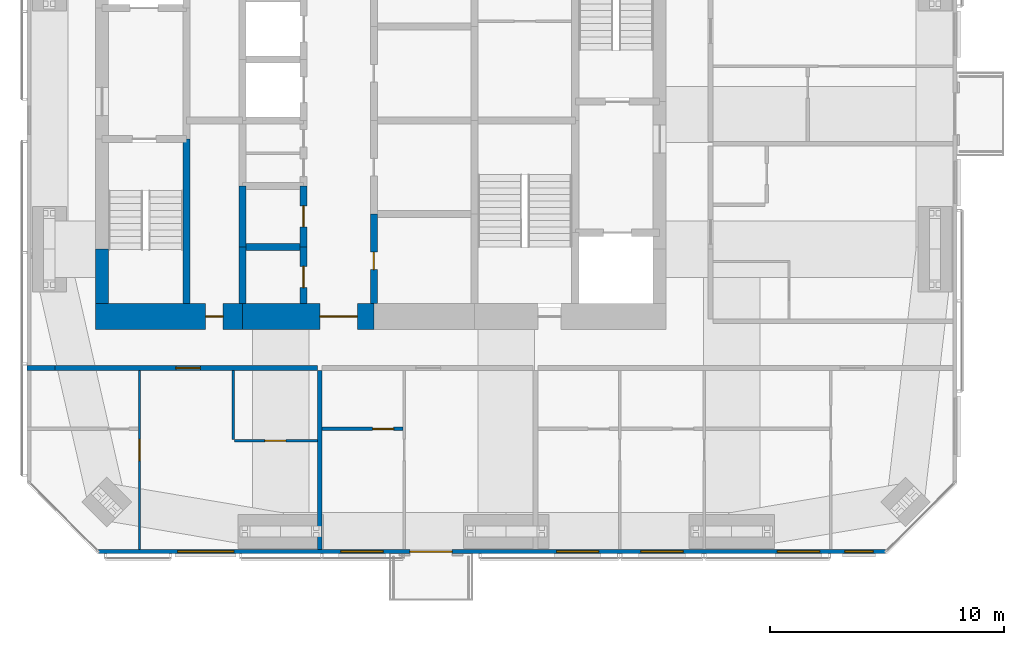
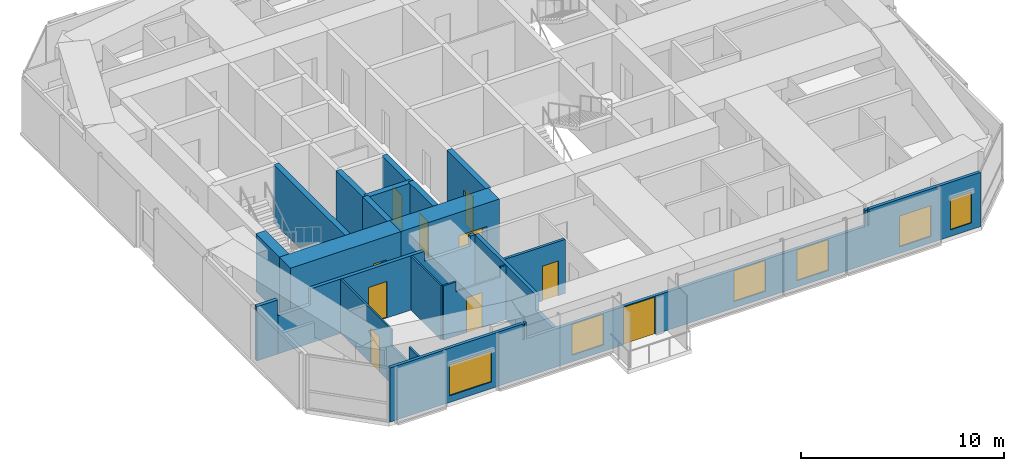
# One storey, part 12 of 18: 18 walls, 10 doors, 6 windows, 16 openings.
"""IFC4 building model written with IfcOpenShell, lengths in metres."""

from ifc_helpers import new_model, si_unit, direction, frame, frame_2d, origin, place, context, subcontext, project, spatial, polyline, rectangle, outline, extrude, material, layer, layer_set, constituent, constituent_set, type_object, element, fill, save


model = new_model("IFC4")

# Units and contexts
model_context = context("Model", 3, precision=1e-05, world=origin(), true_north=direction((0.0, 1.0)))
body_context = subcontext(model_context, "Body", "Model", "MODEL_VIEW")
ifc_project = project(units=[si_unit("LENGTHUNIT", "METRE"), si_unit("AREAUNIT", "SQUARE_METRE"), si_unit("VOLUMEUNIT", "CUBIC_METRE"), si_unit("PLANEANGLEUNIT", "RADIAN"), si_unit("MASSUNIT", "GRAM", prefix="KILO")], contexts=[model_context])

# Site, building, storey
site_placement = place(None, origin())
site = spatial("IfcSite", under=ifc_project, at=site_placement, CompositionType="ELEMENT")
building_placement = place(site_placement, origin())
building = spatial("IfcBuilding", under=site, at=building_placement, Name="Jalousie Tower", CompositionType="ELEMENT")
storey_placement = place(building_placement, frame((0.0, 0.0, 231.949951171875)))
storey = spatial("IfcBuildingStorey", under=building, at=storey_placement, Name="L63", CompositionType="ELEMENT", Elevation=231.949951171875)

# Wall, opening, door
ifc_material_1 = material(Name="Concrete block ASTM C90", Category="concrete")
ifc_constituent_1 = constituent(ifc_material_1, Name="Body")
ifc_material_2 = material(Name="Render")
ifc_constituent_2 = constituent(ifc_material_2, Name="Finish")
ifc_constituent_set_1 = constituent_set(constituents=[ifc_constituent_1, ifc_constituent_2])
wall_type_1 = type_object("IfcWallType", Name="BATHROOM WALL 150", PredefinedType="PLUMBINGWALL", material=ifc_constituent_set_1)
wall_1_placement = place(storey_placement, frame((29.39990234375, 5.324951171875, 0.0), z_axis=(0.0, 0.0, 1.0), x_axis=(1.0, 0.0, 0.0)))
wall_1 = element("IfcWall", 1, at=wall_1_placement, inside=storey, type_object=wall_type_1, Name="Bathroom Wall 150 L63", PredefinedType="PLUMBINGWALL", context=body_context, shape_type="SweptSolid", body=[
    extrude(rectangle(XDim=3.4501953125, YDim=0.14990234375, at=frame_2d((1.72509765625, 0.0))), origin(), (0.0, 0.0, 1.0), 3.260009765625),
])
opening_1_placement = place(wall_1_placement, frame((2.14990234375, 0.0, 0.0)))
opening_1 = element("IfcOpeningElement", 2, at=opening_1_placement, cuts=wall_1, Name="Opening D3", PredefinedType="OPENING", context=body_context, shape_type="SweptSolid", body=[
    extrude(rectangle(XDim=0.89990234375, YDim=2.10009765625, at=frame_2d((0.449951171875, 1.050048828125))), frame((0.0, 0.0849609375, 0.0), z_axis=(0.0, -1.0, 0.0), x_axis=(1.0, 0.0, 0.0)), (0.0, 0.0, 1.0), 0.169921875),
])
ifc_material_3 = material(Name="Timber door", Category="wood")
door_type_1 = type_object("IfcDoorType", Name="BATHROOM DOOR 900", OperationType="SINGLE_SWING_LEFT", PredefinedType="DOOR", material=ifc_material_3)
door_1_placement = place(opening_1_placement, origin())
door_1 = element("IfcDoor", 3, at=door_1_placement, inside=storey, type_object=door_type_1, Name="Apartment 6302 bedroom 1 bathroom door", OperationType="SINGLE_SWING_RIGHT", OverallHeight=2.10009765625, OverallWidth=0.89990234375, PredefinedType="DOOR", context=body_context, shape_type="SweptSolid", body=[
    extrude(rectangle(XDim=0.89990234375, YDim=2.10009765625, at=frame_2d((0.449951171875, 1.050048828125))), frame((0.0, 0.02490234375, 0.0), z_axis=(0.0, -1.0, 0.0), x_axis=(1.0, 0.0, 0.0)), (0.0, 0.0, 1.0), 0.050048828125),
])
fill(opening_1, door_1)

ifc_material_4 = material(Name="Concrete f'c 120 MPa", Category="concrete")
ifc_layer_1 = layer(ifc_material_4, 1.10009765625)
ifc_layer_set_1 = layer_set([ifc_layer_1], Name="Concrete f'c 120 MPa")
wall_type_2 = type_object("IfcWallType", Name="CORE WALL 1100", PredefinedType="SHEAR", material=ifc_layer_set_1)
wall_2_placement = place(storey_placement, frame((19.72509765625, 10.125, 0.0), z_axis=(0.0, 0.0, 1.0), x_axis=(1.0, 0.0, 0.0)))
wall_2 = element("IfcWall", 4, at=wall_2_placement, inside=storey, type_object=wall_type_2, Name="Core wall SA L63", PredefinedType="SHEAR", context=body_context, shape_type="SweptSolid", body=[
    extrude(rectangle(XDim=6.27490234375, YDim=1.10009765625, at=frame_2d((3.137451171875, 0.0))), origin(), (0.0, 0.0, 1.0), 3.5),
])
opening_2_placement = place(wall_2_placement, frame((4.699951171875, 0.0, 0.0)))
opening_2 = element("IfcOpeningElement", 5, at=opening_2_placement, cuts=wall_2, Name="Opening D16", PredefinedType="OPENING", context=body_context, shape_type="SweptSolid", body=[
    extrude(rectangle(XDim=0.75, YDim=2.10009765625, at=frame_2d((0.375, 1.050048828125))), frame((0.0, 0.56005859375, 0.0), z_axis=(0.0, -1.0, 0.0), x_axis=(1.0, 0.0, 0.0)), (0.0, 0.0, 1.0), 1.1201171875),
])
ifc_material_5 = material(Name="Steel fire door", Category="steel")
door_type_2 = type_object("IfcDoorType", Name="RISER DOOR 750", OperationType="SINGLE_SWING_LEFT", PredefinedType="DOOR", material=ifc_material_5)
door_2_placement = place(opening_2_placement, origin())
door_2 = element("IfcDoor", 6, at=door_2_placement, inside=storey, type_object=door_type_2, Name="South riser door", OperationType="SINGLE_SWING_RIGHT", OverallHeight=2.10009765625, OverallWidth=0.75, PredefinedType="DOOR", context=body_context, shape_type="SweptSolid", body=[
    extrude(rectangle(XDim=0.75, YDim=2.10009765625, at=frame_2d((0.375, 1.050048828125))), frame((0.0, 0.02490234375, 0.0), z_axis=(0.0, -1.0, 0.0), x_axis=(1.0, 0.0, 0.0)), (0.0, 0.0, 1.0), 0.050048828125),
])
fill(opening_2, door_2)

wall_3_placement = place(storey_placement, frame((26.0, 10.125, 0.0), z_axis=(0.0, 0.0, 1.0), x_axis=(1.0, 0.0, 0.0)))
wall_3 = element("IfcWall", 7, at=wall_3_placement, inside=storey, type_object=wall_type_2, Name="Core wall SB L63", PredefinedType="SHEAR", context=body_context, shape_type="SweptSolid", body=[
    extrude(rectangle(XDim=5.60009765625, YDim=1.10009765625, at=frame_2d((2.800048828125, 0.0))), origin(), (0.0, 0.0, 1.0), 3.5),
])
opening_3_placement = place(wall_3_placement, frame((3.300048828125, 0.0, 0.0)))
opening_3 = element("IfcOpeningElement", 8, at=opening_3_placement, cuts=wall_3, Name="Opening D15", PredefinedType="OPENING", context=body_context, shape_type="SweptSolid", body=[
    extrude(rectangle(XDim=1.60009765625, YDim=2.10009765625, at=frame_2d((0.800048828125, 1.050048828125))), frame((0.0, 0.56005859375, 0.0), z_axis=(0.0, -1.0, 0.0), x_axis=(1.0, 0.0, 0.0)), (0.0, 0.0, 1.0), 1.1201171875),
])
ifc_material_6 = material(Name="Steel fire door", Category="steel")
door_type_3 = type_object("IfcDoorType", Name="LIFT LOBBY DOOR 1600", OperationType="DOUBLE_DOOR_SINGLE_SWING", PredefinedType="DOOR", material=ifc_material_6)
door_3_placement = place(opening_3_placement, origin())
door_3 = element("IfcDoor", 9, at=door_3_placement, inside=storey, type_object=door_type_3, Name="Lift lobby south door", OperationType="DOUBLE_DOOR_SINGLE_SWING", OverallHeight=2.10009765625, OverallWidth=1.60009765625, PredefinedType="DOOR", context=body_context, shape_type="SweptSolid", body=[
    extrude(rectangle(XDim=1.60009765625, YDim=2.10009765625, at=frame_2d((0.800048828125, 1.050048828125))), frame((0.0, 0.02490234375, 0.0), z_axis=(0.0, -1.0, 0.0), x_axis=(1.0, 0.0, 0.0)), (0.0, 0.0, 1.0), 0.050048828125),
])
fill(opening_3, door_3)

# Walls
ifc_material_7 = material(Name="Concrete f'c 120 MPa", Category="concrete")
ifc_layer_2 = layer(ifc_material_7, 0.300048828125)
ifc_layer_set_2 = layer_set([ifc_layer_2], Name="Concrete f'c 120 MPa")
wall_type_3 = type_object("IfcWallType", Name="CORE WALL 300", PredefinedType="SHEAR", material=ifc_layer_set_2)
wall_4_placement = place(storey_placement, frame((23.60009765625, 10.675048828125, 0.0), z_axis=(0.0, 0.0, 1.0), x_axis=(0.0, 1.0, 0.0)))
element("IfcWall", 10, at=wall_4_placement, inside=storey, type_object=wall_type_3, Name="Core wall X23.6A L63", PredefinedType="SHEAR", context=body_context, shape_type="SweptSolid", body=[
    extrude(rectangle(XDim=7.02490234375, YDim=0.300048828125, at=frame_2d((3.512451171875, 0.0))), origin(), (0.0, 0.0, 1.0), 3.5),
])
wall_5_placement = place(storey_placement, frame((26.0, 10.675048828125, 0.0), z_axis=(0.0, 0.0, 1.0), x_axis=(0.0, 1.0, 0.0)))
element("IfcWall", 11, at=wall_5_placement, inside=storey, type_object=wall_type_3, Name="Core wall X26A L63", PredefinedType="SHEAR", context=body_context, shape_type="SweptSolid", body=[
    extrude(rectangle(XDim=2.425048828125, YDim=0.300048828125, at=frame_2d((1.21240234375, 0.0))), origin(), (0.0, 0.0, 1.0), 3.5),
])
wall_6_placement = place(storey_placement, frame((26.0, 13.10009765625, 0.0), z_axis=(0.0, 0.0, 1.0), x_axis=(0.0, 1.0, 0.0)))
element("IfcWall", 12, at=wall_6_placement, inside=storey, type_object=wall_type_3, Name="Core wall X26B L63", PredefinedType="SHEAR", context=body_context, shape_type="SweptSolid", body=[
    extrude(rectangle(XDim=2.599853515625, YDim=0.300048828125, at=frame_2d((1.2998046875, 0.0))), origin(), (0.0, 0.0, 1.0), 3.5),
])

# Wall, opening, door
wall_7_placement = place(storey_placement, frame((28.60009765625, 10.675048828125, 0.0), z_axis=(0.0, 0.0, 1.0), x_axis=(0.0, 1.0, 0.0)))
wall_7 = element("IfcWall", 13, at=wall_7_placement, inside=storey, type_object=wall_type_3, Name="Core wall X28.6A L63", PredefinedType="SHEAR", context=body_context, shape_type="SweptSolid", body=[
    extrude(rectangle(XDim=2.425048828125, YDim=0.300048828125, at=frame_2d((1.21240234375, 0.0))), origin(), (0.0, 0.0, 1.0), 3.5),
])
opening_4_placement = place(wall_7_placement, frame((0.6875, 0.0, 0.0)))
opening_4 = element("IfcOpeningElement", 14, at=opening_4_placement, cuts=wall_7, Name="Opening D24", PredefinedType="OPENING", context=body_context, shape_type="SweptSolid", body=[
    extrude(rectangle(XDim=0.89990234375, YDim=2.10009765625, at=frame_2d((0.449951171875, 1.050048828125))), frame((0.0, 0.159912109375, 0.0), z_axis=(0.0, -1.0, 0.0), x_axis=(1.0, 0.0, 0.0)), (0.0, 0.0, 1.0), 0.320068359375),
])
ifc_material_8 = material(Name="Steel fire door", Category="steel")
door_type_4 = type_object("IfcDoorType", Name="CORE ROOM DOOR 900", OperationType="SINGLE_SWING_LEFT", PredefinedType="DOOR", material=ifc_material_8)
door_4_placement = place(opening_4_placement, origin())
door_4 = element("IfcDoor", 15, at=door_4_placement, inside=storey, type_object=door_type_4, Name="IT room door", OperationType="SINGLE_SWING_RIGHT", OverallHeight=2.10009765625, OverallWidth=0.89990234375, PredefinedType="DOOR", context=body_context, shape_type="SweptSolid", body=[
    extrude(rectangle(XDim=0.89990234375, YDim=2.10009765625, at=frame_2d((0.449951171875, 1.050048828125))), frame((0.0, 0.02490234375, 0.0), z_axis=(0.0, -1.0, 0.0), x_axis=(1.0, 0.0, 0.0)), (0.0, 0.0, 1.0), 0.050048828125),
])
fill(opening_4, door_4)

wall_8_placement = place(storey_placement, frame((28.60009765625, 13.10009765625, 0.0), z_axis=(0.0, 0.0, 1.0), x_axis=(0.0, 1.0, 0.0)))
wall_8 = element("IfcWall", 16, at=wall_8_placement, inside=storey, type_object=wall_type_3, Name="Core wall X28.6B L63", PredefinedType="SHEAR", context=body_context, shape_type="SweptSolid", body=[
    extrude(rectangle(XDim=2.599853515625, YDim=0.300048828125, at=frame_2d((1.2998046875, 0.0))), origin(), (0.0, 0.0, 1.0), 3.5),
])
opening_5_placement = place(wall_8_placement, frame((0.85009765625, 0.0, 0.0)))
opening_5 = element("IfcOpeningElement", 17, at=opening_5_placement, cuts=wall_8, Name="Opening D24", PredefinedType="OPENING", context=body_context, shape_type="SweptSolid", body=[
    extrude(rectangle(XDim=0.89990234375, YDim=2.10009765625, at=frame_2d((0.449951171875, 1.050048828125))), frame((0.0, 0.159912109375, 0.0), z_axis=(0.0, -1.0, 0.0), x_axis=(1.0, 0.0, 0.0)), (0.0, 0.0, 1.0), 0.320068359375),
])
door_5_placement = place(opening_5_placement, origin())
door_5 = element("IfcDoor", 18, at=door_5_placement, inside=storey, type_object=door_type_4, Name="Linen store door", OperationType="SINGLE_SWING_RIGHT", OverallHeight=2.10009765625, OverallWidth=0.89990234375, PredefinedType="DOOR", context=body_context, shape_type="SweptSolid", body=[
    extrude(rectangle(XDim=0.89990234375, YDim=2.10009765625, at=frame_2d((0.449951171875, 1.050048828125))), frame((0.0, 0.02490234375, 0.0), z_axis=(0.0, -1.0, 0.0), x_axis=(1.0, 0.0, 0.0)), (0.0, 0.0, 1.0), 0.050048828125),
])
fill(opening_5, door_5)

wall_9_placement = place(storey_placement, frame((31.60009765625, 10.675048828125, 0.0), z_axis=(0.0, 0.0, 1.0), x_axis=(0.0, 1.0, 0.0)))
wall_9 = element("IfcWall", 19, at=wall_9_placement, inside=storey, type_object=wall_type_3, Name="Core wall X31.6A L63", PredefinedType="SHEAR", context=body_context, shape_type="SweptSolid", body=[
    extrude(rectangle(XDim=3.824951171875, YDim=0.300048828125, at=frame_2d((1.91259765625, 0.0))), origin(), (0.0, 0.0, 1.0), 3.5),
])
opening_6_placement = place(wall_9_placement, frame((1.449951171875, 0.0, 0.0)))
opening_6 = element("IfcOpeningElement", 20, at=opening_6_placement, cuts=wall_9, Name="Opening D16", PredefinedType="OPENING", context=body_context, shape_type="SweptSolid", body=[
    extrude(rectangle(XDim=0.75, YDim=2.10009765625, at=frame_2d((0.375, 1.050048828125))), frame((0.0, 0.159912109375, 0.0), z_axis=(0.0, -1.0, 0.0), x_axis=(1.0, 0.0, 0.0)), (0.0, 0.0, 1.0), 0.320068359375),
])
door_6_placement = place(opening_6_placement, frame((0.75, 0.0, 0.0), z_axis=(0.0, 0.0, 1.0), x_axis=(-1.0, 0.0, 0.0)))
door_6 = element("IfcDoor", 21, at=door_6_placement, inside=storey, type_object=door_type_2, Name="Refuse Room door", OperationType="SINGLE_SWING_RIGHT", OverallHeight=2.10009765625, OverallWidth=0.75, PredefinedType="DOOR", context=body_context, shape_type="SweptSolid", body=[
    extrude(rectangle(XDim=0.75, YDim=2.10009765625, at=frame_2d((0.375, 1.050048828125))), frame((0.0, 0.02490234375, 0.0), z_axis=(0.0, -1.0, 0.0), x_axis=(1.0, 0.0, 0.0)), (0.0, 0.0, 1.0), 0.050048828125),
])
fill(opening_6, door_6)

# Walls
wall_10_placement = place(storey_placement, frame((26.0, 13.10009765625, 0.0), z_axis=(0.0, 0.0, 1.0), x_axis=(1.0, 0.0, 0.0)))
element("IfcWall", 22, at=wall_10_placement, inside=storey, type_object=wall_type_3, Name="Core wall Y26-13.1 L63", PredefinedType="SHEAR", context=body_context, shape_type="SweptSolid", body=[
    extrude(rectangle(XDim=2.60009765625, YDim=0.300048828125, at=frame_2d((1.300048828125, 0.0))), origin(), (0.0, 0.0, 1.0), 3.5),
])
ifc_material_9 = material(Name="Concrete f'c 120 MPa", Category="concrete")
ifc_layer_3 = layer(ifc_material_9, 0.550048828125)
ifc_layer_set_3 = layer_set([ifc_layer_3], Name="Concrete f'c 120 MPa")
wall_type_4 = type_object("IfcWallType", Name="CORE WALL 550", PredefinedType="SHEAR", material=ifc_layer_set_3)
wall_11_placement = place(storey_placement, frame((20.0, 13.0, 0.0), z_axis=(0.0, 0.0, 1.0), x_axis=(0.0, -1.0, 0.0)))
element("IfcWall", 23, at=wall_11_placement, inside=storey, type_object=wall_type_4, Name="Core wall WD L63", PredefinedType="SHEAR", context=body_context, shape_type="SweptSolid", body=[
    extrude(rectangle(XDim=2.324951171875, YDim=0.550048828125, at=frame_2d((1.16259765625, 0.0))), origin(), (0.0, 0.0, 1.0), 3.5),
])

# Wall, opening, door
ifc_material_10 = material(Name="Concrete block ASTM C90", Category="concrete")
ifc_constituent_3 = constituent(ifc_material_10, Name="Body")
ifc_material_11 = material(Name="Render")
ifc_constituent_4 = constituent(ifc_material_11, Name="Finish")
ifc_constituent_set_2 = constituent_set(constituents=[ifc_constituent_3, ifc_constituent_4])
wall_type_5 = type_object("IfcWallType", Name="CORRIDOR WALL 200", PredefinedType="PARTITIONING", material=ifc_constituent_set_2)
wall_12_placement = place(storey_placement, frame((18.0, 7.925048828125, 0.0), z_axis=(0.0, 0.0, 1.0), x_axis=(1.0, 0.0, 0.0)))
wall_12 = element("IfcWall", 24, at=wall_12_placement, inside=storey, type_object=wall_type_5, Name="Corridor Wall 200 L63", PredefinedType="PARTITIONING", context=body_context, shape_type="SweptSolid", body=[
    extrude(outline(polyline([(0.0, 0.0), (11.199951171875, 0.0), (11.199951171875, 3.260009765625), (10.93505859375, 3.260009765625), (10.93505859375, 2.66015625), (8.31494140625, 2.66015625), (8.31494140625, 3.260009765625), (1.838623046875, 3.260009765625), (1.838623046875, 2.300048828125), (0.0, 2.300048828125), (0.0, 3.260009765625), (0.0, 0.0)])), frame((0.0, 0.10009765625, 0.0), z_axis=(0.0, -1.0, 0.0), x_axis=(1.0, 0.0, 0.0)), (0.0, 0.0, 1.0), 0.199951171875),
])
opening_7_placement = place(wall_12_placement, frame((5.14990234375, 0.0, 0.0)))
opening_7 = element("IfcOpeningElement", 25, at=opening_7_placement, cuts=wall_12, Name="Opening D1", PredefinedType="OPENING", context=body_context, shape_type="SweptSolid", body=[
    extrude(rectangle(XDim=1.050048828125, YDim=2.199951171875, at=frame_2d((0.52490234375, 1.10009765625))), frame((0.0, 0.10986328125, 0.0), z_axis=(0.0, -1.0, 0.0), x_axis=(1.0, 0.0, 0.0)), (0.0, 0.0, 1.0), 0.219970703125),
])
ifc_material_12 = material(Name="Timber fire door", Category="wood")
door_type_5 = type_object("IfcDoorType", Name="APARTMENT ENTRANCE DOOR 1050", OperationType="SINGLE_SWING_LEFT", PredefinedType="DOOR", material=ifc_material_12)
door_7_placement = place(opening_7_placement, frame((1.050048828125, 0.0, 0.0), z_axis=(0.0, 0.0, 1.0), x_axis=(-1.0, 0.0, 0.0)))
door_7 = element("IfcDoor", 26, at=door_7_placement, inside=storey, type_object=door_type_5, Name="Apartment 6301 entrance", OperationType="SINGLE_SWING_LEFT", OverallHeight=2.199951171875, OverallWidth=1.050048828125, PredefinedType="DOOR", context=body_context, shape_type="SweptSolid", body=[
    extrude(rectangle(XDim=1.050048828125, YDim=2.199951171875, at=frame_2d((0.52490234375, 1.10009765625))), frame((0.0, 0.02490234375, 0.0), z_axis=(0.0, -1.0, 0.0), x_axis=(1.0, 0.0, 0.0)), (0.0, 0.0, 1.0), 0.050048828125),
])
fill(opening_7, door_7)

# Wall, openings, door, windows
ifc_material_13 = material(Name="Concrete f'c 40 MPa", Category="concrete")
ifc_constituent_5 = constituent(ifc_material_13, Name="Body")
ifc_material_14 = material(Name="Render, pastel sky blue")
ifc_constituent_6 = constituent(ifc_material_14, Name="Finish")
ifc_constituent_set_3 = constituent_set(constituents=[ifc_constituent_5, ifc_constituent_6])
wall_type_6 = type_object("IfcWallType", Name="EXTERNAL WALL 175 SKY BLUE RENDER", PredefinedType="SOLIDWALL", material=ifc_constituent_set_3)
wall_13_placement = place(storey_placement, frame((19.851318359375, 0.08740234375, 0.0), z_axis=(0.0, 0.0, 1.0), x_axis=(1.0, 0.0, 0.0)))
wall_13 = element("IfcWall", 27, at=wall_13_placement, inside=storey, type_object=wall_type_6, Name="External Wall 175 Sky Blue Render L63", PredefinedType="SOLIDWALL", context=body_context, shape_type="SweptSolid", body=[
    extrude(outline(polyline([(0.0, 0.0), (33.597412109375, 0.0), (33.597412109375, 3.260009765625), (27.238525390625, 3.260009765625), (27.238525390625, 2.300048828125), (27.155029296875, 2.300048828125), (27.155029296875, 3.260009765625), (27.023681640625, 3.260009765625), (27.023681640625, 2.300048828125), (7.773681640625, 2.300048828125), (7.773681640625, 3.260009765625), (7.642333984375, 3.260009765625), (7.642333984375, 2.300048828125), (7.558837890625, 2.300048828125), (7.558837890625, 3.260009765625), (0.0, 3.260009765625), (0.0, 0.0)])), frame((0.0, 0.08740234375, 0.0), z_axis=(0.0, -1.0, 0.0), x_axis=(1.0, 0.0, 0.0)), (0.0, 0.0, 1.0), 0.175048828125),
])
opening_8_placement = place(wall_13_placement, frame((3.37255859375, 0.0, 0.39990234375)))
opening_8 = element("IfcOpeningElement", 28, at=opening_8_placement, cuts=wall_13, Name="Opening W-LIV185", PredefinedType="OPENING", context=body_context, shape_type="SweptSolid", body=[
    extrude(rectangle(XDim=2.39990234375, YDim=1.85009765625, at=frame_2d((1.199951171875, 0.925048828125))), frame((0.0, 0.097412109375, 0.0), z_axis=(0.0, -1.0, 0.0), x_axis=(1.0, 0.0, 0.0)), (0.0, 0.0, 1.0), 0.195068359375),
])
opening_9_placement = place(wall_13_placement, frame((10.3486328125, 0.0, 0.39990234375)))
opening_9 = element("IfcOpeningElement", 29, at=opening_9_placement, cuts=wall_13, Name="Opening W-BED185", PredefinedType="OPENING", context=body_context, shape_type="SweptSolid", body=[
    extrude(rectangle(XDim=1.800048828125, YDim=1.85009765625, at=frame_2d((0.89990234375, 0.925048828125))), frame((0.0, 0.097412109375, 0.0), z_axis=(0.0, -1.0, 0.0), x_axis=(1.0, 0.0, 0.0)), (0.0, 0.0, 1.0), 0.195068359375),
])
opening_10_placement = place(wall_13_placement, frame((13.288818359375, 0.0, 0.0)))
opening_10 = element("IfcOpeningElement", 30, at=opening_10_placement, cuts=wall_13, Name="Opening D-BAL22", PredefinedType="OPENING", context=body_context, shape_type="SweptSolid", body=[
    extrude(rectangle(XDim=1.800048828125, YDim=2.25, at=frame_2d((0.89990234375, 1.125))), frame((0.0, 0.097412109375, 0.0), z_axis=(0.0, -1.0, 0.0), x_axis=(1.0, 0.0, 0.0)), (0.0, 0.0, 1.0), 0.195068359375),
])
opening_11_placement = place(wall_13_placement, frame((19.548583984375, 0.0, 0.39990234375)))
opening_11 = element("IfcOpeningElement", 31, at=opening_11_placement, cuts=wall_13, Name="Opening W-BED185", PredefinedType="OPENING", context=body_context, shape_type="SweptSolid", body=[
    extrude(rectangle(XDim=1.800048828125, YDim=1.85009765625, at=frame_2d((0.89990234375, 0.925048828125))), frame((0.0, 0.097412109375, 0.0), z_axis=(0.0, -1.0, 0.0), x_axis=(1.0, 0.0, 0.0)), (0.0, 0.0, 1.0), 0.195068359375),
])
opening_12_placement = place(wall_13_placement, frame((23.148681640625, 0.0, 0.39990234375)))
opening_12 = element("IfcOpeningElement", 32, at=opening_12_placement, cuts=wall_13, Name="Opening W-BED185", PredefinedType="OPENING", context=body_context, shape_type="SweptSolid", body=[
    extrude(rectangle(XDim=1.800048828125, YDim=1.85009765625, at=frame_2d((0.89990234375, 0.925048828125))), frame((0.0, 0.097412109375, 0.0), z_axis=(0.0, -1.0, 0.0), x_axis=(1.0, 0.0, 0.0)), (0.0, 0.0, 1.0), 0.195068359375),
])
opening_13_placement = place(wall_13_placement, frame((28.978759765625, 0.0, 0.39990234375)))
opening_13 = element("IfcOpeningElement", 33, at=opening_13_placement, cuts=wall_13, Name="Opening W-BED185", PredefinedType="OPENING", context=body_context, shape_type="SweptSolid", body=[
    extrude(rectangle(XDim=1.800048828125, YDim=1.85009765625, at=frame_2d((0.89990234375, 0.925048828125))), frame((0.0, 0.097412109375, 0.0), z_axis=(0.0, -1.0, 0.0), x_axis=(1.0, 0.0, 0.0)), (0.0, 0.0, 1.0), 0.195068359375),
])
opening_14_placement = place(wall_13_placement, frame((31.861328125, 0.0, 0.39990234375)))
opening_14 = element("IfcOpeningElement", 34, at=opening_14_placement, cuts=wall_13, Name="Opening W-COR185", PredefinedType="OPENING", context=body_context, shape_type="SweptSolid", body=[
    extrude(rectangle(XDim=1.199951171875, YDim=1.85009765625, at=frame_2d((0.60009765625, 0.925048828125))), frame((0.0, 0.097412109375, 0.0), z_axis=(0.0, -1.0, 0.0), x_axis=(1.0, 0.0, 0.0)), (0.0, 0.0, 1.0), 0.195068359375),
])
ifc_material_15 = material(Name="Aluminium frame, impact-rated glazing", Category="aluminium")
door_type_6 = type_object("IfcDoorType", Name="BALCONY DOOR 1800x2250", OperationType="SLIDING_TO_LEFT", PredefinedType="DOOR", material=ifc_material_15)
door_8_placement = place(opening_10_placement, origin())
door_8 = element("IfcDoor", 35, at=door_8_placement, inside=storey, type_object=door_type_6, Name="Apartment 6302 living, dining and kitchen balcony door", OperationType="SLIDING_TO_LEFT", OverallHeight=2.25, OverallWidth=1.800048828125, PredefinedType="DOOR", context=body_context, shape_type="SweptSolid", body=[
    extrude(rectangle(XDim=1.800048828125, YDim=2.25, at=frame_2d((0.89990234375, 1.125))), frame((0.0, 0.02490234375, 0.0), z_axis=(0.0, -1.0, 0.0), x_axis=(1.0, 0.0, 0.0)), (0.0, 0.0, 1.0), 0.050048828125),
])
fill(opening_10, door_8)
ifc_material_16 = material(Name="Aluminium frame, impact-rated glazing", Category="aluminium")
window_type_1 = type_object("IfcWindowType", Name="WINDOW BED 1800x1850", PartitioningType="SINGLE_PANEL", PredefinedType="WINDOW", material=ifc_material_16)
window_1_placement = place(opening_9_placement, origin())
window_1 = element("IfcWindow", 36, at=window_1_placement, inside=storey, type_object=window_type_1, Name="Apartment 6302 bedroom 1 window", OverallHeight=1.85009765625, OverallWidth=1.800048828125, PartitioningType="SINGLE_PANEL", PredefinedType="WINDOW", context=body_context, shape_type="SweptSolid", body=[
    extrude(rectangle(XDim=1.800048828125, YDim=1.85009765625, at=frame_2d((0.89990234375, 0.925048828125))), frame((0.0, 0.030029296875, 0.0), z_axis=(0.0, -1.0, 0.0), x_axis=(1.0, 0.0, 0.0)), (0.0, 0.0, 1.0), 0.06005859375),
])
fill(opening_9, window_1)
window_2_placement = place(opening_11_placement, origin())
window_2 = element("IfcWindow", 37, at=window_2_placement, inside=storey, type_object=window_type_1, Name="Apartment 6303 bedroom 1 window", OverallHeight=1.85009765625, OverallWidth=1.800048828125, PartitioningType="SINGLE_PANEL", PredefinedType="WINDOW", context=body_context, shape_type="SweptSolid", body=[
    extrude(rectangle(XDim=1.800048828125, YDim=1.85009765625, at=frame_2d((0.89990234375, 0.925048828125))), frame((0.0, 0.030029296875, 0.0), z_axis=(0.0, -1.0, 0.0), x_axis=(1.0, 0.0, 0.0)), (0.0, 0.0, 1.0), 0.06005859375),
])
fill(opening_11, window_2)
window_3_placement = place(opening_12_placement, origin())
window_3 = element("IfcWindow", 38, at=window_3_placement, inside=storey, type_object=window_type_1, Name="Apartment 6303 bedroom 2 window", OverallHeight=1.85009765625, OverallWidth=1.800048828125, PartitioningType="SINGLE_PANEL", PredefinedType="WINDOW", context=body_context, shape_type="SweptSolid", body=[
    extrude(rectangle(XDim=1.800048828125, YDim=1.85009765625, at=frame_2d((0.89990234375, 0.925048828125))), frame((0.0, 0.030029296875, 0.0), z_axis=(0.0, -1.0, 0.0), x_axis=(1.0, 0.0, 0.0)), (0.0, 0.0, 1.0), 0.06005859375),
])
fill(opening_12, window_3)
window_4_placement = place(opening_13_placement, origin())
window_4 = element("IfcWindow", 39, at=window_4_placement, inside=storey, type_object=window_type_1, Name="Apartment 6303 bedroom 3 window", OverallHeight=1.85009765625, OverallWidth=1.800048828125, PartitioningType="SINGLE_PANEL", PredefinedType="WINDOW", context=body_context, shape_type="SweptSolid", body=[
    extrude(rectangle(XDim=1.800048828125, YDim=1.85009765625, at=frame_2d((0.89990234375, 0.925048828125))), frame((0.0, 0.030029296875, 0.0), z_axis=(0.0, -1.0, 0.0), x_axis=(1.0, 0.0, 0.0)), (0.0, 0.0, 1.0), 0.06005859375),
])
fill(opening_13, window_4)
ifc_material_17 = material(Name="Aluminium frame, impact-rated glazing", Category="aluminium")
window_type_2 = type_object("IfcWindowType", Name="WINDOW COR 1200x1850", PartitioningType="SINGLE_PANEL", PredefinedType="WINDOW", material=ifc_material_17)
window_5_placement = place(opening_14_placement, origin())
window_5 = element("IfcWindow", 40, at=window_5_placement, inside=storey, type_object=window_type_2, Name="Apartment 6303 living, dining and kitchen window", OverallHeight=1.85009765625, OverallWidth=1.199951171875, PartitioningType="SINGLE_PANEL", PredefinedType="WINDOW", context=body_context, shape_type="SweptSolid", body=[
    extrude(rectangle(XDim=1.199951171875, YDim=1.85009765625, at=frame_2d((0.60009765625, 0.925048828125))), frame((0.0, 0.030029296875, 0.0), z_axis=(0.0, -1.0, 0.0), x_axis=(1.0, 0.0, 0.0)), (0.0, 0.0, 1.0), 0.06005859375),
])
fill(opening_14, window_5)
ifc_material_18 = material(Name="Aluminium frame, impact-rated glazing", Category="aluminium")
window_type_3 = type_object("IfcWindowType", Name="WINDOW LIV 2400x1850", PartitioningType="DOUBLE_PANEL_VERTICAL", PredefinedType="WINDOW", material=ifc_material_18)
window_6_placement = place(opening_8_placement, origin())
window_6 = element("IfcWindow", 41, at=window_6_placement, inside=storey, type_object=window_type_3, Name="Apartment 6301 living and dining room window", OverallHeight=1.85009765625, OverallWidth=2.39990234375, PartitioningType="SINGLE_PANEL", PredefinedType="WINDOW", context=body_context, shape_type="SweptSolid", body=[
    extrude(rectangle(XDim=2.39990234375, YDim=1.85009765625, at=frame_2d((1.199951171875, 0.925048828125))), frame((0.0, 0.030029296875, 0.0), z_axis=(0.0, -1.0, 0.0), x_axis=(1.0, 0.0, 0.0)), (0.0, 0.0, 1.0), 0.06005859375),
])
fill(opening_8, window_6)

# Wall, opening, door
ifc_material_19 = material(Name="Gypsum board", Category="gypsum")
ifc_constituent_7 = constituent(ifc_material_19, Name="Body")
ifc_material_20 = material(Name="Light-gauge steel studs ASTM A653 SS Grade 33", Category="steel")
ifc_constituent_8 = constituent(ifc_material_20, Name="Framing")
ifc_constituent_set_4 = constituent_set(constituents=[ifc_constituent_7, ifc_constituent_8])
wall_type_7 = type_object("IfcWallType", Name="PARTITION 100", PredefinedType="PARTITIONING", material=ifc_constituent_set_4)
wall_14_placement = place(storey_placement, frame((21.60009765625, 0.175048828125, 0.0), z_axis=(0.0, 0.0, 1.0), x_axis=(0.0, 1.0, 0.0)))
wall_14 = element("IfcWall", 42, at=wall_14_placement, inside=storey, type_object=wall_type_7, Name="Partition 100 L63", PredefinedType="PARTITIONING", context=body_context, shape_type="SweptSolid", body=[
    extrude(outline(polyline([(0.0, 0.0), (7.64990234375, 0.0), (7.64990234375, 3.260009765625), (2.668212890625, 3.260009765625), (2.668212890625, 2.300048828125), (0.923828125, 2.300048828125), (0.923828125, 3.260009765625), (0.0, 3.260009765625), (0.0, 0.0)])), frame((0.0, 0.050048828125, 0.0), z_axis=(0.0, -1.0, 0.0), x_axis=(1.0, 0.0, 0.0)), (0.0, 0.0, 1.0), 0.10009765625),
])
opening_15_placement = place(wall_14_placement, frame((3.800048828125, 0.0, 0.0)))
opening_15 = element("IfcOpeningElement", 43, at=opening_15_placement, cuts=wall_14, Name="Opening D2", PredefinedType="OPENING", context=body_context, shape_type="SweptSolid", body=[
    extrude(rectangle(XDim=0.89990234375, YDim=2.10009765625, at=frame_2d((0.449951171875, 1.050048828125))), frame((0.0, 0.06005859375, 0.0), z_axis=(0.0, -1.0, 0.0), x_axis=(1.0, 0.0, 0.0)), (0.0, 0.0, 1.0), 0.1201171875),
])
ifc_material_21 = material(Name="Timber door", Category="wood")
door_type_7 = type_object("IfcDoorType", Name="BEDROOM DOOR 900", OperationType="SINGLE_SWING_LEFT", PredefinedType="DOOR", material=ifc_material_21)
door_9_placement = place(opening_15_placement, origin())
door_9 = element("IfcDoor", 44, at=door_9_placement, inside=storey, type_object=door_type_7, Name="Apartment 6301 bedroom 1 door", OperationType="SINGLE_SWING_RIGHT", OverallHeight=2.10009765625, OverallWidth=0.89990234375, PredefinedType="DOOR", context=body_context, shape_type="SweptSolid", body=[
    extrude(rectangle(XDim=0.89990234375, YDim=2.10009765625, at=frame_2d((0.449951171875, 1.050048828125))), frame((0.0, 0.02490234375, 0.0), z_axis=(0.0, -1.0, 0.0), x_axis=(1.0, 0.0, 0.0)), (0.0, 0.0, 1.0), 0.050048828125),
])
fill(opening_15, door_9)

wall_15_placement = place(storey_placement, frame((25.64990234375, 4.824951171875, 0.0), z_axis=(0.0, 0.0, 1.0), x_axis=(1.0, 0.0, 0.0)))
wall_15 = element("IfcWall", 45, at=wall_15_placement, inside=storey, type_object=wall_type_7, Name="Partition 100 L63", PredefinedType="PARTITIONING", context=body_context, shape_type="SweptSolid", body=[
    extrude(outline(polyline([(0.0, 0.0), (3.550048828125, 0.0), (3.550048828125, 3.260009765625), (3.235107421875, 3.260009765625), (3.235107421875, 2.66015625), (0.715087890625, 2.66015625), (0.715087890625, 3.260009765625), (0.0, 3.260009765625), (0.0, 0.0)])), frame((0.0, 0.050048828125, 0.0), z_axis=(0.0, -1.0, 0.0), x_axis=(1.0, 0.0, 0.0)), (0.0, 0.0, 1.0), 0.10009765625),
])
opening_16_placement = place(wall_15_placement, frame((1.300048828125, 0.0, 0.0)))
opening_16 = element("IfcOpeningElement", 46, at=opening_16_placement, cuts=wall_15, Name="Opening D7", PredefinedType="OPENING", context=body_context, shape_type="SweptSolid", body=[
    extrude(rectangle(XDim=0.89990234375, YDim=2.10009765625, at=frame_2d((0.449951171875, 1.050048828125))), frame((0.0, 0.06005859375, 0.0), z_axis=(0.0, -1.0, 0.0), x_axis=(1.0, 0.0, 0.0)), (0.0, 0.0, 1.0), 0.1201171875),
])
ifc_material_22 = material(Name="Timber door", Category="wood")
door_type_8 = type_object("IfcDoorType", Name="INTERNAL DOOR 900", OperationType="SINGLE_SWING_LEFT", PredefinedType="DOOR", material=ifc_material_22)
door_10_placement = place(opening_16_placement, frame((0.89990234375, 0.0, 0.0), z_axis=(0.0, 0.0, 1.0), x_axis=(-1.0, 0.0, 0.0)))
door_10 = element("IfcDoor", 47, at=door_10_placement, inside=storey, type_object=door_type_8, Name="Apartment 6301 kitchen door", OperationType="SINGLE_SWING_LEFT", OverallHeight=2.10009765625, OverallWidth=0.89990234375, PredefinedType="DOOR", context=body_context, shape_type="SweptSolid", body=[
    extrude(rectangle(XDim=0.89990234375, YDim=2.10009765625, at=frame_2d((0.449951171875, 1.050048828125))), frame((0.0, 0.02490234375, 0.0), z_axis=(0.0, -1.0, 0.0), x_axis=(1.0, 0.0, 0.0)), (0.0, 0.0, 1.0), 0.050048828125),
])
fill(opening_16, door_10)

# Walls
wall_16_placement = place(storey_placement, frame((25.60009765625, 4.875, 0.0), z_axis=(0.0, 0.0, 1.0), x_axis=(0.0, 1.0, 0.0)))
element("IfcWall", 48, at=wall_16_placement, inside=storey, type_object=wall_type_7, Name="Partition 100 L63", PredefinedType="PARTITIONING", context=body_context, shape_type="SweptSolid", body=[
    extrude(rectangle(XDim=2.949951171875, YDim=0.10009765625, at=frame_2d((1.47509765625, 0.0))), origin(), (0.0, 0.0, 1.0), 3.260009765625),
])
ifc_material_23 = material(Name="Concrete block ASTM C90", Category="concrete")
ifc_constituent_9 = constituent(ifc_material_23, Name="Body")
ifc_material_24 = material(Name="Render")
ifc_constituent_10 = constituent(ifc_material_24, Name="Finish")
ifc_constituent_set_5 = constituent_set(constituents=[ifc_constituent_9, ifc_constituent_10])
wall_type_8 = type_object("IfcWallType", Name="PARTY WALL 200", PredefinedType="PARTITIONING", material=ifc_constituent_set_5)
wall_17_placement = place(storey_placement, frame((29.300048828125, 0.175048828125, 0.0), z_axis=(0.0, 0.0, 1.0), x_axis=(0.0, 1.0, 0.0)))
element("IfcWall", 49, at=wall_17_placement, inside=storey, type_object=wall_type_8, Name="Party Wall 200 L63", PredefinedType="PARTITIONING", context=body_context, shape_type="SweptSolid", body=[
    extrude(outline(polyline([(0.0, 0.0), (7.64990234375, 0.0), (7.64990234375, 3.260009765625), (1.68505859375, 3.260009765625), (1.68505859375, 2.300048828125), (0.0, 2.300048828125), (0.0, 3.260009765625), (0.0, 0.0)])), frame((0.0, 0.10009765625, 0.0), z_axis=(0.0, -1.0, 0.0), x_axis=(1.0, 0.0, 0.0)), (0.0, 0.0, 1.0), 0.199951171875),
])
wall_18_placement = place(storey_placement, frame((16.800048828125, 7.925048828125, 0.0), z_axis=(0.0, 0.0, 1.0), x_axis=(1.0, 0.0, 0.0)))
element("IfcWall", 50, at=wall_18_placement, inside=storey, type_object=wall_type_8, Name="Party Wall 200 L63", PredefinedType="PARTITIONING", context=body_context, shape_type="SweptSolid", body=[
    extrude(outline(polyline([(0.0, 0.0), (1.199951171875, 0.0), (1.199951171875, 3.260009765625), (1.199951171875, 2.300048828125), (1.172119140625, 2.300048828125), (1.172119140625, 3.260009765625), (0.0, 3.260009765625), (0.0, 0.0)])), frame((0.0, 0.10009765625, 0.0), z_axis=(0.0, -1.0, 0.0), x_axis=(1.0, 0.0, 0.0)), (0.0, 0.0, 1.0), 0.199951171875),
])

save(model, "model.ifc")
